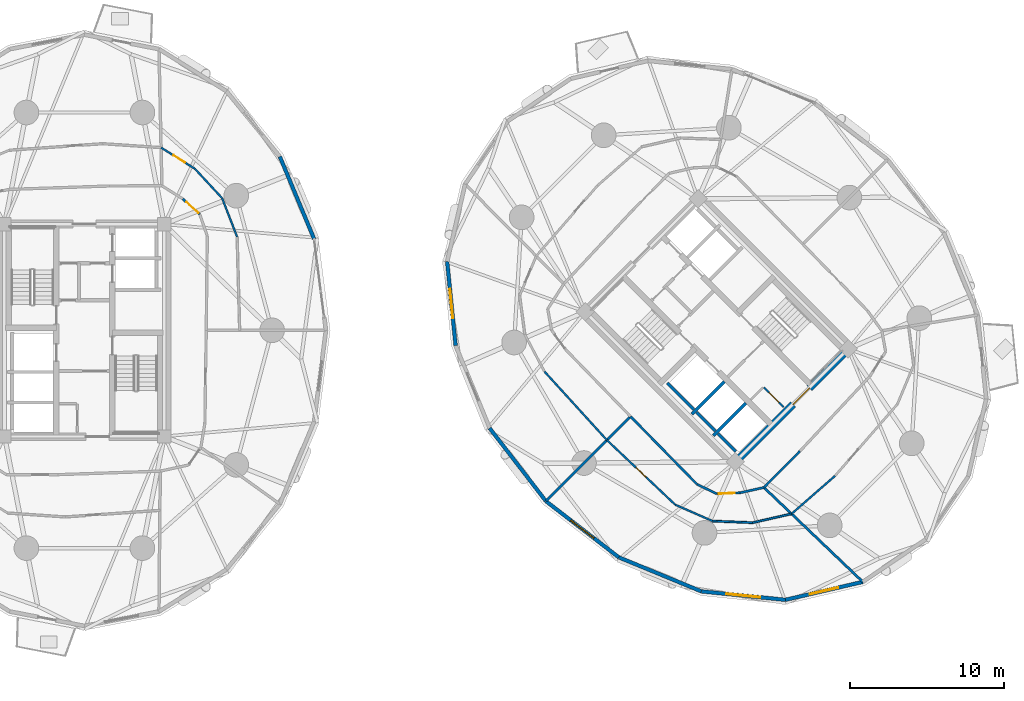
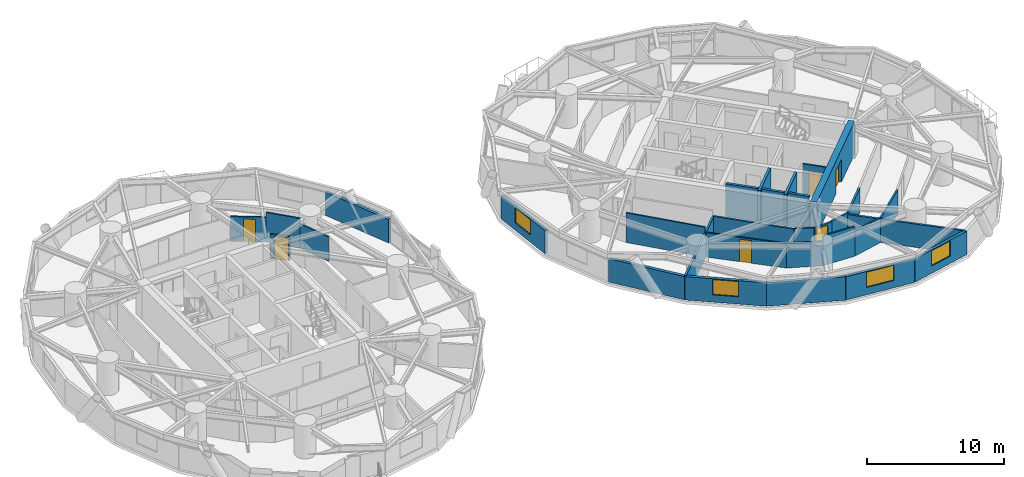
# One storey, part 11 of 17: 31 walls, 6 doors, 4 windows, 10 openings.
"""IFC4 building model written with IfcOpenShell, lengths in metres."""

from ifc_helpers import new_model, si_unit, direction, frame, frame_2d, origin, place, context, subcontext, project, spatial, rectangle, extrude, source, transform, mapped, material, layer, layer_set, type_object, element, fill, save


model = new_model("IFC4")

# Units and contexts
model_context = context("Model", 3, precision=1e-05, world=origin(), true_north=direction((0.0, 1.0)))
body_context = subcontext(model_context, "Body", "Model", "MODEL_VIEW")
ifc_project = project(units=[si_unit("LENGTHUNIT", "METRE"), si_unit("AREAUNIT", "SQUARE_METRE"), si_unit("VOLUMEUNIT", "CUBIC_METRE"), si_unit("PLANEANGLEUNIT", "RADIAN"), si_unit("MASSUNIT", "GRAM", prefix="KILO")], contexts=[model_context])

# Site, building, storey
site_placement = place(None, origin())
site = spatial("IfcSite", under=ifc_project, at=site_placement, CompositionType="ELEMENT")
building_placement = place(site_placement, origin())
building = spatial("IfcBuilding", under=site, at=building_placement, Name="Cununo Teusaquillo Station Towers", CompositionType="ELEMENT")
storey_placement = place(building_placement, frame((0.0, 0.0, 59.830078125)))
storey = spatial("IfcBuildingStorey", under=building, at=storey_placement, Name="L18", CompositionType="ELEMENT", Elevation=59.830078125)

# Walls
ifc_material_1 = material(Name="Concrete C50/60", Category="concrete")
ifc_layer_1 = layer(ifc_material_1, 0.199951171875)
ifc_layer_set_1 = layer_set([ifc_layer_1], Name="Concrete C50/60")
wall_type_1 = type_object("IfcWallType", Name="WL-CORE-200", PredefinedType="SHEAR", material=ifc_layer_set_1)
wall_1_placement = place(storey_placement, frame((55.8876953125, 19.0693359375, 0.0), z_axis=(0.0, 0.0, 1.0), x_axis=(0.707106781187, 0.707106781187, 0.0)))
element("IfcWall", 1, at=wall_1_placement, inside=storey, type_object=wall_type_1, Name="L18 Tower B Firefighting Lift Shaft South Shear Wall", PredefinedType="SHEAR", context=body_context, shape_type="SweptSolid", body=[
    extrude(rectangle(XDim=2.969970703125, YDim=0.199951171875, at=frame_2d((1.48486328125, 0.0))), origin(), (0.0, 0.0, 1.0), 2.909912109375),
])
wall_2_placement = place(storey_placement, frame((56.01513671875, 19.366455078125, 0.0), z_axis=(0.0, 0.0, 1.0), x_axis=(-0.707106781187, 0.707106781187, 0.0)))
element("IfcWall", 2, at=wall_2_placement, inside=storey, type_object=wall_type_1, Name="L18 Tower B Firefighting Lift Shaft Rear Shear Wall", PredefinedType="SHEAR", context=body_context, shape_type="SweptSolid", body=[
    extrude(rectangle(XDim=2.43994140625, YDim=0.199951171875, at=frame_2d((1.219970703125, 0.0))), origin(), (0.0, 0.0, 1.0), 2.909912109375),
])
wall_3_placement = place(storey_placement, frame((57.2841796875, 17.6728515625, 0.0), z_axis=(0.0, 0.0, 1.0), x_axis=(0.707147878904, 0.70706568108, 0.0)))
element("IfcWall", 3, at=wall_3_placement, inside=storey, type_object=wall_type_1, Name="L18 Tower B High-Rise Lift Hoistway Divider Shear Wall", PredefinedType="SHEAR", context=body_context, shape_type="SweptSolid", body=[
    extrude(rectangle(XDim=2.97021484375, YDim=0.199951171875, at=frame_2d((1.485107421875, 0.0))), origin(), (0.0, 0.0, 1.0), 2.909912109375),
])
wall_4_placement = place(storey_placement, frame((57.41162109375, 17.969970703125, 0.0), z_axis=(0.0, 0.0, 1.0), x_axis=(-0.707106781187, 0.707106781187, 0.0)))
element("IfcWall", 4, at=wall_4_placement, inside=storey, type_object=wall_type_1, Name="L18 Tower B High-Rise Lift 2 Shaft Rear Shear Wall", PredefinedType="SHEAR", context=body_context, shape_type="SweptSolid", body=[
    extrude(rectangle(XDim=1.73486328125, YDim=0.199951171875, at=frame_2d((0.867431640625, 0.0))), origin(), (0.0, 0.0, 1.0), 2.909912109375),
])
wall_5_placement = place(storey_placement, frame((58.7373046875, 16.64404296875, 0.0), z_axis=(0.0, 0.0, 1.0), x_axis=(-0.707032117043, 0.707181437447, 0.0)))
element("IfcWall", 5, at=wall_5_placement, inside=storey, type_object=wall_type_1, Name="L18 Tower B High-Rise Lift 1 Shaft Rear Shear Wall", PredefinedType="SHEAR", context=body_context, shape_type="SweptSolid", body=[
    extrude(rectangle(XDim=1.635009765625, YDim=0.199951171875, at=frame_2d((0.8173828125, 0.0))), origin(), (0.0, 0.0, 1.0), 2.909912109375),
])

# Wall, opening, door
ifc_material_2 = material(Name="Concrete C60/75", Category="concrete")
ifc_layer_2 = layer(ifc_material_2, 0.5)
ifc_layer_set_2 = layer_set([ifc_layer_2], Name="Concrete C60/75")
wall_type_2 = type_object("IfcWallType", Name="WL-CORE-500", PredefinedType="SHEAR", material=ifc_layer_set_2)
wall_6_placement = place(storey_placement, frame((58.595947265625, 15.837890625, 0.0), z_axis=(0.0, 0.0, 1.0), x_axis=(0.707106781187, 0.707106781187, 0.0)))
wall_6 = element("IfcWall", 6, at=wall_6_placement, inside=storey, type_object=wall_type_2, Name="L18 Tower B Core Shear Wall S", PredefinedType="SHEAR", context=body_context, shape_type="SweptSolid", body=[
    extrude(rectangle(XDim=10.7001953125, YDim=0.5, at=frame_2d((5.35009765625, 0.0))), origin(), (0.0, 0.0, 1.0), 2.909912109375),
])
shared_shape_1 = source(origin(), body_context, "Body", "SweptSolid", [
    extrude(rectangle(XDim=1.5, YDim=2.02001953125, at=frame_2d((0.75, 1.010009765625))), frame((0.0, 0.260009765625, 0.0), z_axis=(0.0, -1.0, 0.0), x_axis=(1.0, 0.0, 0.0)), (0.0, 0.0, 1.0), 0.52001953125),
])
opening_1_placement = place(wall_6_placement, frame((5.449951171875, 0.0, 0.0)))
opening_1 = element("IfcOpeningElement", 7, at=opening_1_placement, cuts=wall_6, Name="Opening D-LB1", PredefinedType="OPENING", context=body_context, shape_type="MappedRepresentation", body=[
    mapped(shared_shape_1, transform((0.0, 0.0, 0.0), x_axis=(1.0, 0.0, 0.0), y_axis=(0.0, 1.0, 0.0), z_axis=(0.0, 0.0, 1.0), scale=1.0)),
])
ifc_material_3 = material(Name="Galvanised fire-rated hollow steel door assembly", Category="steel")
door_type_1 = type_object("IfcDoorType", Name="DR-LOBBY-1500", OperationType="DOUBLE_DOOR_SINGLE_SWING", PredefinedType="DOOR", material=ifc_material_3)
shared_shape_2 = source(origin(), body_context, "Body", "SweptSolid", [
    extrude(rectangle(XDim=1.5, YDim=2.02001953125, at=frame_2d((0.75, 1.010009765625))), frame((0.0, 0.02490234375, 0.0), z_axis=(0.0, -1.0, 0.0), x_axis=(1.0, 0.0, 0.0)), (0.0, 0.0, 1.0), 0.050048828125),
])
door_1_placement = place(opening_1_placement, origin())
door_1 = element("IfcDoor", 8, at=door_1_placement, inside=storey, type_object=door_type_1, Name="L18 Tower B South Core Lift Lobby Door", OperationType="DOUBLE_DOOR_SINGLE_SWING", OverallHeight=2.02001953125, OverallWidth=1.5, PredefinedType="DOOR", context=body_context, shape_type="MappedRepresentation", body=[
    mapped(shared_shape_2, transform((0.0, 0.0, 0.0), x_axis=(1.0, 0.0, 0.0), y_axis=(0.0, 1.0, 0.0), z_axis=(0.0, 0.0, 1.0), scale=1.0)),
])
fill(opening_1, door_1)

# Wall
ifc_material_4 = material(Name="Precast concrete C40/50", Category="concrete")
ifc_layer_3 = layer(ifc_material_4, 0.239990234375)
ifc_layer_set_3 = layer_set([ifc_layer_3], Name="Precast concrete C40/50")
wall_type_3 = type_object("IfcWallType", Name="WL-EXT-240", PredefinedType="SOLIDWALL", material=ifc_layer_set_3)
wall_7_placement = place(storey_placement, frame((29.171630859375, 35.767822265625, 0.0), z_axis=(0.0, 0.0, 1.0), x_axis=(0.384348836956, -0.923187939442, 0.0)))
element("IfcWall", 9, at=wall_7_placement, inside=storey, type_object=wall_type_3, Name="L18 Tower A Exterior Facade Wall C01", PredefinedType="SOLIDWALL", context=body_context, shape_type="SweptSolid", body=[
    extrude(rectangle(XDim=5.78857421875, YDim=0.239990234375, at=frame_2d((2.894287109375, 0.0))), origin(), (0.0, 0.0, 1.0), 2.072998046875),
])

# Wall, opening, window
wall_8_placement = place(storey_placement, frame((40.572265625, 23.50732421875, 0.0), z_axis=(0.0, 0.0, 1.0), x_axis=(-0.100165739718, 0.994970765694, 0.0)))
wall_8 = element("IfcWall", 10, at=wall_8_placement, inside=storey, type_object=wall_type_3, Name="L18 Tower B Exterior Facade Wall C07", PredefinedType="SOLIDWALL", context=body_context, shape_type="SweptSolid", body=[
    extrude(rectangle(XDim=5.476806640625, YDim=0.239990234375, at=frame_2d((2.73828125, 0.0))), origin(), (0.0, 0.0, 1.0), 2.072998046875),
])
shared_shape_3 = source(origin(), body_context, "Body", "SweptSolid", [
    extrude(rectangle(XDim=1.89990234375, YDim=1.35009765625, at=frame_2d((0.949951171875, 0.675048828125))), frame((0.0, 0.1298828125, 0.0), z_axis=(0.0, -1.0, 0.0), x_axis=(1.0, 0.0, 0.0)), (0.0, 0.0, 1.0), 0.260009765625),
])
opening_2_placement = place(wall_8_placement, frame((1.7880859375, 0.0, 0.64990234375)))
opening_2 = element("IfcOpeningElement", 11, at=opening_2_placement, cuts=wall_8, Name="Opening WN-02", PredefinedType="OPENING", context=body_context, shape_type="MappedRepresentation", body=[
    mapped(shared_shape_3, transform((0.0, 0.0, 0.0), x_axis=(1.0, 0.0, 0.0), y_axis=(0.0, 1.0, 0.0), z_axis=(0.0, 0.0, 1.0), scale=1.0)),
])
ifc_material_5 = material(Name="Operable acoustic tinted low-E double glazing", Category="glass")
window_type_1 = type_object("IfcWindowType", Name="WIN-OPER-1900", PartitioningType="DOUBLE_PANEL_VERTICAL", PredefinedType="WINDOW", material=ifc_material_5)
shared_shape_4 = source(origin(), body_context, "Body", "SweptSolid", [
    extrude(rectangle(XDim=1.89990234375, YDim=1.35009765625, at=frame_2d((0.949951171875, 0.675048828125))), frame((0.0, 0.030029296875, 0.0), z_axis=(0.0, -1.0, 0.0), x_axis=(1.0, 0.0, 0.0)), (0.0, 0.0, 1.0), 0.06005859375),
])
window_1_placement = place(opening_2_placement, origin())
window_1 = element("IfcWindow", 12, at=window_1_placement, inside=storey, type_object=window_type_1, Name="L18 Tower B Facade Window C07", OverallHeight=1.35009765625, OverallWidth=1.89990234375, PartitioningType="DOUBLE_PANEL_VERTICAL", PredefinedType="WINDOW", context=body_context, shape_type="MappedRepresentation", body=[
    mapped(shared_shape_4, transform((0.0, 0.0, 0.0), x_axis=(1.0, 0.0, 0.0), y_axis=(0.0, 1.0, 0.0), z_axis=(0.0, 0.0, 1.0), scale=1.0)),
])
fill(opening_2, window_1)

# Wall
wall_9_placement = place(storey_placement, frame((46.424560546875, 13.424560546875, 0.0), z_axis=(0.0, 0.0, 1.0), x_axis=(-0.610502519057, 0.792014314407, 0.0)))
element("IfcWall", 13, at=wall_9_placement, inside=storey, type_object=wall_type_3, Name="L18 Tower B Exterior Facade Wall C09", PredefinedType="SOLIDWALL", context=body_context, shape_type="SweptSolid", body=[
    extrude(rectangle(XDim=5.973388671875, YDim=0.239990234375, at=frame_2d((2.98681640625, 0.0))), origin(), (0.0, 0.0, 1.0), 2.072998046875),
])

# Wall, opening, window
wall_10_placement = place(storey_placement, frame((51.155517578125, 9.77783203125, 0.0), z_axis=(0.0, 0.0, 1.0), x_axis=(-0.792014314407, 0.610502519057, 0.0)))
wall_10 = element("IfcWall", 14, at=wall_10_placement, inside=storey, type_object=wall_type_3, Name="L18 Tower B Exterior Facade Wall C10", PredefinedType="SOLIDWALL", context=body_context, shape_type="SweptSolid", body=[
    extrude(rectangle(XDim=5.973388671875, YDim=0.239990234375, at=frame_2d((2.98681640625, 0.0))), origin(), (0.0, 0.0, 1.0), 2.072998046875),
])
opening_3_placement = place(wall_10_placement, frame((2.037109375, 0.0, 0.64990234375)))
opening_3 = element("IfcOpeningElement", 15, at=opening_3_placement, cuts=wall_10, Name="Opening WN-02", PredefinedType="OPENING", context=body_context, shape_type="MappedRepresentation", body=[
    mapped(shared_shape_3, transform((0.0, 0.0, 0.0), x_axis=(1.0, 0.0, 0.0), y_axis=(0.0, 1.0, 0.0), z_axis=(0.0, 0.0, 1.0), scale=1.0)),
])
window_2_placement = place(opening_3_placement, origin())
window_2 = element("IfcWindow", 16, at=window_2_placement, inside=storey, type_object=window_type_1, Name="L18 Tower B Facade Window C10", OverallHeight=1.35009765625, OverallWidth=1.89990234375, PartitioningType="DOUBLE_PANEL_VERTICAL", PredefinedType="WINDOW", context=body_context, shape_type="MappedRepresentation", body=[
    mapped(shared_shape_4, transform((0.0, 0.0, 0.0), x_axis=(1.0, 0.0, 0.0), y_axis=(0.0, 1.0, 0.0), z_axis=(0.0, 0.0, 1.0), scale=1.0)),
])
fill(opening_3, window_2)

# Wall
wall_11_placement = place(storey_placement, frame((56.50732421875, 7.572265625, 0.0), z_axis=(0.0, 0.0, 1.0), x_axis=(-0.924563629567, 0.381027682565, 0.0)))
element("IfcWall", 17, at=wall_11_placement, inside=storey, type_object=wall_type_3, Name="L18 Tower B Exterior Facade Wall C11", PredefinedType="SOLIDWALL", context=body_context, shape_type="SweptSolid", body=[
    extrude(rectangle(XDim=5.78857421875, YDim=0.239990234375, at=frame_2d((2.894287109375, 0.0))), origin(), (0.0, 0.0, 1.0), 2.072998046875),
])

# Wall, opening, window
wall_12_placement = place(storey_placement, frame((61.95654296875, 7.023681640625, 0.0), z_axis=(0.0, 0.0, 1.0), x_axis=(-0.994970765694, 0.100165739718, 0.0)))
wall_12 = element("IfcWall", 18, at=wall_12_placement, inside=storey, type_object=wall_type_3, Name="L18 Tower B Exterior Facade Wall C12", PredefinedType="SOLIDWALL", context=body_context, shape_type="SweptSolid", body=[
    extrude(rectangle(XDim=5.476806640625, YDim=0.239990234375, at=frame_2d((2.73828125, 0.0))), origin(), (0.0, 0.0, 1.0), 2.072998046875),
])
shared_shape_5 = source(origin(), body_context, "Body", "SweptSolid", [
    extrude(rectangle(XDim=2.199951171875, YDim=1.35009765625, at=frame_2d((1.10009765625, 0.675048828125))), frame((0.0, 0.1298828125, 0.0), z_axis=(0.0, -1.0, 0.0), x_axis=(1.0, 0.0, 0.0)), (0.0, 0.0, 1.0), 0.260009765625),
])
opening_4_placement = place(wall_12_placement, frame((1.637939453125, 0.0, 0.64990234375)))
opening_4 = element("IfcOpeningElement", 19, at=opening_4_placement, cuts=wall_12, Name="Opening WN-01", PredefinedType="OPENING", context=body_context, shape_type="MappedRepresentation", body=[
    mapped(shared_shape_5, transform((0.0, 0.0, 0.0), x_axis=(1.0, 0.0, 0.0), y_axis=(0.0, 1.0, 0.0), z_axis=(0.0, 0.0, 1.0), scale=1.0)),
])
ifc_material_6 = material(Name="Ceramic-fritted dark low-E double glazing", Category="glass")
window_type_2 = type_object("IfcWindowType", Name="WIN-FRIT-2200", PartitioningType="DOUBLE_PANEL_VERTICAL", PredefinedType="WINDOW", material=ifc_material_6)
shared_shape_6 = source(origin(), body_context, "Body", "SweptSolid", [
    extrude(rectangle(XDim=2.199951171875, YDim=1.35009765625, at=frame_2d((1.10009765625, 0.675048828125))), frame((0.0, 0.030029296875, 0.0), z_axis=(0.0, -1.0, 0.0), x_axis=(1.0, 0.0, 0.0)), (0.0, 0.0, 1.0), 0.06005859375),
])
window_3_placement = place(opening_4_placement, origin())
window_3 = element("IfcWindow", 20, at=window_3_placement, inside=storey, type_object=window_type_2, Name="L18 Tower B Facade Window C12", OverallHeight=1.35009765625, OverallWidth=2.199951171875, PartitioningType="DOUBLE_PANEL_VERTICAL", PredefinedType="WINDOW", context=body_context, shape_type="MappedRepresentation", body=[
    mapped(shared_shape_6, transform((0.0, 0.0, 0.0), x_axis=(1.0, 0.0, 0.0), y_axis=(0.0, 1.0, 0.0), z_axis=(0.0, 0.0, 1.0), scale=1.0)),
])
fill(opening_4, window_3)

wall_13_placement = place(storey_placement, frame((66.969482421875, 8.185791015625, 0.0), z_axis=(0.0, 0.0, 1.0), x_axis=(-0.974166016949, -0.225833060959, 0.0)))
wall_13 = element("IfcWall", 21, at=wall_13_placement, inside=storey, type_object=wall_type_3, Name="L18 Tower B Exterior Facade Wall C13", PredefinedType="SOLIDWALL", context=body_context, shape_type="SweptSolid", body=[
    extrude(rectangle(XDim=5.14599609375, YDim=0.239990234375, at=frame_2d((2.572998046875, 0.0))), origin(), (0.0, 0.0, 1.0), 2.072998046875),
])
opening_5_placement = place(wall_13_placement, frame((1.623046875, 0.0, 0.64990234375)))
opening_5 = element("IfcOpeningElement", 22, at=opening_5_placement, cuts=wall_13, Name="Opening WN-02", PredefinedType="OPENING", context=body_context, shape_type="MappedRepresentation", body=[
    mapped(shared_shape_3, transform((0.0, 0.0, 0.0), x_axis=(1.0, 0.0, 0.0), y_axis=(0.0, 1.0, 0.0), z_axis=(0.0, 0.0, 1.0), scale=1.0)),
])
window_4_placement = place(opening_5_placement, origin())
window_4 = element("IfcWindow", 23, at=window_4_placement, inside=storey, type_object=window_type_1, Name="L18 Tower B Facade Window C13", OverallHeight=1.35009765625, OverallWidth=1.89990234375, PartitioningType="DOUBLE_PANEL_VERTICAL", PredefinedType="WINDOW", context=body_context, shape_type="MappedRepresentation", body=[
    mapped(shared_shape_4, transform((0.0, 0.0, 0.0), x_axis=(1.0, 0.0, 0.0), y_axis=(0.0, 1.0, 0.0), z_axis=(0.0, 0.0, 1.0), scale=1.0)),
])
fill(opening_5, window_4)

# Walls
ifc_material_7 = material(Name="Fire-rated gypsum plasterboard partition assembly", Category="gypsum")
ifc_layer_4 = layer(ifc_material_7, 0.125)
ifc_layer_set_4 = layer_set([ifc_layer_4], Name="Fire-rated gypsum plasterboard partition assembly")
wall_type_4 = type_object("IfcWallType", Name="WL-PART-125", PredefinedType="PARTITIONING", material=ifc_layer_set_4)
wall_14_placement = place(storey_placement, frame((26.4033203125, 30.55908203125, 0.0), z_axis=(0.0, 0.0, 1.0), x_axis=(-0.361637165216, 0.932318915787, 0.0)))
element("IfcWall", 24, at=wall_14_placement, inside=storey, type_object=wall_type_4, Name="L18 Tower A Hotel Sky Conservatory Lounge Concentric Partition Wall C01", PredefinedType="PARTITIONING", context=body_context, shape_type="SweptSolid", body=[
    extrude(rectangle(XDim=2.6943359375, YDim=0.125, at=frame_2d((1.34716796875, 0.0))), origin(), (0.0, 0.0, 1.0), 2.158935546875),
])
wall_15_placement = place(storey_placement, frame((25.428955078125, 33.071044921875, 0.0), z_axis=(0.0, 0.0, 1.0), x_axis=(-0.679623863187, 0.733560770889, 0.0)))
element("IfcWall", 25, at=wall_15_placement, inside=storey, type_object=wall_type_4, Name="L18 Tower A Hotel Sky Conservatory Lounge Concentric Partition Wall C02", PredefinedType="PARTITIONING", context=body_context, shape_type="SweptSolid", body=[
    extrude(rectangle(XDim=2.59375, YDim=0.125, at=frame_2d((1.296875, 0.0))), origin(), (0.0, 0.0, 1.0), 2.635009765625),
])

# Wall, opening, door
wall_16_placement = place(storey_placement, frame((23.666259765625, 34.9736328125, 0.0), z_axis=(0.0, 0.0, 1.0), x_axis=(-0.847319394731, 0.531083650014, 0.0)))
wall_16 = element("IfcWall", 26, at=wall_16_placement, inside=storey, type_object=wall_type_4, Name="L18 Tower A Hotel Sky Conservatory Lounge Concentric Partition Wall C03", PredefinedType="PARTITIONING", context=body_context, shape_type="SweptSolid", body=[
    extrude(rectangle(XDim=2.588623046875, YDim=0.125, at=frame_2d((1.29443359375, 0.0))), origin(), (0.0, 0.0, 1.0), 2.204833984375),
])
shared_shape_7 = source(origin(), body_context, "Body", "SweptSolid", [
    extrude(rectangle(XDim=0.89990234375, YDim=2.0048828125, at=frame_2d((0.449951171875, 1.00244140625))), frame((0.0, 0.072509765625, 0.0), z_axis=(0.0, -1.0, 0.0), x_axis=(1.0, 0.0, 0.0)), (0.0, 0.0, 1.0), 0.14501953125),
])
opening_6_placement = place(wall_16_placement, frame((0.75390625, 0.0, 0.0)))
opening_6 = element("IfcOpeningElement", 27, at=opening_6_placement, cuts=wall_16, Name="Opening D-IN1", PredefinedType="OPENING", context=body_context, shape_type="MappedRepresentation", body=[
    mapped(shared_shape_7, transform((0.0, 0.0, 0.0), x_axis=(1.0, 0.0, 0.0), y_axis=(0.0, 1.0, 0.0), z_axis=(0.0, 0.0, 1.0), scale=1.0)),
])
ifc_material_8 = material(Name="Acoustic solid-core hardwood leaf assembly", Category="wood")
door_type_2 = type_object("IfcDoorType", Name="DR-INT-900", OperationType="NOTDEFINED", PredefinedType="DOOR", material=ifc_material_8)
shared_shape_8 = source(origin(), body_context, "Body", "SweptSolid", [
    extrude(rectangle(XDim=0.89990234375, YDim=2.0048828125, at=frame_2d((0.449951171875, 1.00244140625))), frame((0.0, 0.02490234375, 0.0), z_axis=(0.0, -1.0, 0.0), x_axis=(1.0, 0.0, 0.0)), (0.0, 0.0, 1.0), 0.050048828125),
])
door_2_placement = place(opening_6_placement, origin())
door_2 = element("IfcDoor", 28, at=door_2_placement, inside=storey, type_object=door_type_2, Name="L18 Tower A Hotel Sky Conservatory Lounge Connecting Door", OperationType="SINGLE_SWING_LEFT", OverallHeight=2.0048828125, OverallWidth=0.89990234375, PredefinedType="DOOR", context=body_context, shape_type="MappedRepresentation", body=[
    mapped(shared_shape_8, transform((0.0, 0.0, 0.0), x_axis=(1.0, 0.0, 0.0), y_axis=(0.0, 1.0, 0.0), z_axis=(0.0, 0.0, 1.0), scale=1.0)),
])
fill(opening_6, door_2)

wall_17_placement = place(storey_placement, frame((61.834716796875, 19.529052734375, 0.0), z_axis=(0.0, 0.0, 1.0), x_axis=(-0.707174592913, 0.707038962956, 0.0)))
wall_17 = element("IfcWall", 29, at=wall_17_placement, inside=storey, type_object=wall_type_4, Name="L18 Tower B South-West Compact Store East Wall", PredefinedType="PARTITIONING", context=body_context, shape_type="SweptSolid", body=[
    extrude(rectangle(XDim=1.800048828125, YDim=0.125, at=frame_2d((0.89990234375, 0.0))), origin(), (0.0, 0.0, 1.0), 2.635009765625),
])
opening_7_placement = place(wall_17_placement, frame((0.419921875, 0.0, 0.0)))
opening_7 = element("IfcOpeningElement", 30, at=opening_7_placement, cuts=wall_17, Name="Opening D-SR1", PredefinedType="OPENING", context=body_context, shape_type="MappedRepresentation", body=[
    mapped(shared_shape_7, transform((0.0, 0.0, 0.0), x_axis=(1.0, 0.0, 0.0), y_axis=(0.0, 1.0, 0.0), z_axis=(0.0, 0.0, 1.0), scale=1.0)),
])
ifc_material_9 = material(Name="Galvanised fire-rated hollow steel door assembly", Category="steel")
door_type_3 = type_object("IfcDoorType", Name="DR-STORE-900", OperationType="NOTDEFINED", PredefinedType="DOOR", material=ifc_material_9)
door_3_placement = place(opening_7_placement, origin())
door_3 = element("IfcDoor", 31, at=door_3_placement, inside=storey, type_object=door_type_3, Name="L18 Tower B Core Electrical & Comms Store Door", OperationType="SINGLE_SWING_RIGHT", OverallHeight=2.0048828125, OverallWidth=0.89990234375, PredefinedType="DOOR", context=body_context, shape_type="MappedRepresentation", body=[
    mapped(shared_shape_8, transform((0.0, 0.0, 0.0), x_axis=(1.0, 0.0, 0.0), y_axis=(0.0, 1.0, 0.0), z_axis=(0.0, 0.0, 1.0), scale=1.0)),
])
fill(opening_7, door_3)

# Wall
wall_18_placement = place(storey_placement, frame((46.330810546875, 21.828369140625, 0.0), z_axis=(0.0, 0.0, 1.0), x_axis=(0.673296785471, -0.739372327501, 0.0)))
element("IfcWall", 32, at=wall_18_placement, inside=storey, type_object=wall_type_4, Name="L18 Tower B Hotel Concierge & Library Club Concentric Partition Wall C09", PredefinedType="PARTITIONING", context=body_context, shape_type="SweptSolid", body=[
    extrude(rectangle(XDim=6.01513671875, YDim=0.125, at=frame_2d((3.007568359375, 0.0))), origin(), (0.0, 0.0, 1.0), 2.635009765625),
])

# Wall, opening, door
wall_19_placement = place(storey_placement, frame((50.380859375, 17.380859375, 0.0), z_axis=(0.0, 0.0, 1.0), x_axis=(0.726536500488, -0.687127872712, 0.0)))
wall_19 = element("IfcWall", 33, at=wall_19_placement, inside=storey, type_object=wall_type_4, Name="L18 Tower B Hotel Executive Conference Salon Concentric Partition Wall C10", PredefinedType="PARTITIONING", context=body_context, shape_type="SweptSolid", body=[
    extrude(rectangle(XDim=6.095947265625, YDim=0.125, at=frame_2d((3.0478515625, 0.0))), origin(), (0.0, 0.0, 1.0), 2.158935546875),
])
opening_8_placement = place(wall_19_placement, frame((2.597900390625, 0.0, 0.0)))
opening_8 = element("IfcOpeningElement", 34, at=opening_8_placement, cuts=wall_19, Name="Opening D-IN1", PredefinedType="OPENING", context=body_context, shape_type="MappedRepresentation", body=[
    mapped(shared_shape_7, transform((0.0, 0.0, 0.0), x_axis=(1.0, 0.0, 0.0), y_axis=(0.0, 1.0, 0.0), z_axis=(0.0, 0.0, 1.0), scale=1.0)),
])
door_4_placement = place(opening_8_placement, origin())
door_4 = element("IfcDoor", 35, at=door_4_placement, inside=storey, type_object=door_type_2, Name="L18 Tower B Hotel Executive Conference Salon Connecting Door", OperationType="SINGLE_SWING_LEFT", OverallHeight=2.0048828125, OverallWidth=0.89990234375, PredefinedType="DOOR", context=body_context, shape_type="MappedRepresentation", body=[
    mapped(shared_shape_8, transform((0.0, 0.0, 0.0), x_axis=(1.0, 0.0, 0.0), y_axis=(0.0, 1.0, 0.0), z_axis=(0.0, 0.0, 1.0), scale=1.0)),
])
fill(opening_8, door_4)

# Walls
wall_20_placement = place(storey_placement, frame((54.809814453125, 13.192138671875, 0.0), z_axis=(0.0, 0.0, 1.0), x_axis=(0.91595798127, -0.40127419123, 0.0)))
element("IfcWall", 36, at=wall_20_placement, inside=storey, type_object=wall_type_4, Name="L18 Tower B Hotel Executive Conference Salon Concentric Partition Wall C11", PredefinedType="PARTITIONING", context=body_context, shape_type="SweptSolid", body=[
    extrude(rectangle(XDim=2.6435546875, YDim=0.125, at=frame_2d((1.32177734375, 0.0))), origin(), (0.0, 0.0, 1.0), 2.158935546875),
])
wall_21_placement = place(storey_placement, frame((57.231201171875, 12.13134765625, 0.0), z_axis=(0.0, 0.0, 1.0), x_axis=(0.999171636131, -0.040694490436, 0.0)))
element("IfcWall", 37, at=wall_21_placement, inside=storey, type_object=wall_type_4, Name="L18 Tower B Hotel Executive Conference Salon Concentric Partition Wall C12", PredefinedType="PARTITIONING", context=body_context, shape_type="SweptSolid", body=[
    extrude(rectangle(XDim=2.603759765625, YDim=0.125, at=frame_2d((1.3017578125, 0.0))), origin(), (0.0, 0.0, 1.0), 2.635009765625),
])
wall_22_placement = place(storey_placement, frame((59.832763671875, 12.025390625, 0.0), z_axis=(0.0, 0.0, 1.0), x_axis=(0.975011214108, 0.222155648959, 0.0)))
element("IfcWall", 38, at=wall_22_placement, inside=storey, type_object=wall_type_4, Name="L18 Tower B Hotel Executive Conference Salon Concentric Partition Wall C13", PredefinedType="PARTITIONING", context=body_context, shape_type="SweptSolid", body=[
    extrude(rectangle(XDim=2.5859375, YDim=0.125, at=frame_2d((1.29296875, 0.0))), origin(), (0.0, 0.0, 1.0), 2.204833984375),
])
wall_23_placement = place(storey_placement, frame((62.35400390625, 12.599853515625, 0.0), z_axis=(0.0, 0.0, 1.0), x_axis=(0.75329750535, 0.657679913357, 0.0)))
element("IfcWall", 39, at=wall_23_placement, inside=storey, type_object=wall_type_4, Name="L18 Tower B Hotel Housekeeping & Linen Pantry Concentric Partition Wall C14", PredefinedType="PARTITIONING", context=body_context, shape_type="SweptSolid", body=[
    extrude(rectangle(XDim=3.75341796875, YDim=0.125, at=frame_2d((1.876708984375, 0.0))), origin(), (0.0, 0.0, 1.0), 2.158935546875),
])

# Wall, opening, door
ifc_material_10 = material(Name="Fire-rated gypsum plasterboard partition assembly", Category="gypsum")
ifc_layer_5 = layer(ifc_material_10, 0.14990234375)
ifc_layer_set_5 = layer_set([ifc_layer_5], Name="Fire-rated gypsum plasterboard partition assembly")
wall_type_5 = type_object("IfcWallType", Name="WL-PART-150", PredefinedType="PARTITIONING", material=ifc_layer_set_5)
wall_24_placement = place(storey_placement, frame((23.979736328125, 32.02685546875, 0.0), z_axis=(0.0, 0.0, 1.0), x_axis=(-0.742353224332, 0.670008724065, 0.0)))
wall_24 = element("IfcWall", 40, at=wall_24_placement, inside=storey, type_object=wall_type_5, Name="L18 Tower A Corridor Ring Wall C02", PredefinedType="PARTITIONING", context=body_context, shape_type="SweptSolid", body=[
    extrude(rectangle(XDim=1.48486328125, YDim=0.14990234375, at=frame_2d((0.742431640625, 0.0))), origin(), (0.0, 0.0, 1.0), 2.158935546875),
])
shared_shape_9 = source(origin(), body_context, "Body", "SweptSolid", [
    extrude(rectangle(XDim=1.050048828125, YDim=2.014892578125, at=frame_2d((0.52490234375, 1.00732421875))), frame((0.0, 0.0849609375, 0.0), z_axis=(0.0, -1.0, 0.0), x_axis=(1.0, 0.0, 0.0)), (0.0, 0.0, 1.0), 0.169921875),
])
opening_9_placement = place(wall_24_placement, frame((0.1201171875, 0.0, 0.0)))
opening_9 = element("IfcOpeningElement", 41, at=opening_9_placement, cuts=wall_24, Name="Opening D-SU1", PredefinedType="OPENING", context=body_context, shape_type="MappedRepresentation", body=[
    mapped(shared_shape_9, transform((0.0, 0.0, 0.0), x_axis=(1.0, 0.0, 0.0), y_axis=(0.0, 1.0, 0.0), z_axis=(0.0, 0.0, 1.0), scale=1.0)),
])
ifc_material_11 = material(Name="Acoustic solid-core hardwood leaf assembly", Category="wood")
door_type_4 = type_object("IfcDoorType", Name="DR-SUITE-1050", OperationType="NOTDEFINED", PredefinedType="DOOR", material=ifc_material_11)
shared_shape_10 = source(origin(), body_context, "Body", "SweptSolid", [
    extrude(rectangle(XDim=1.050048828125, YDim=2.014892578125, at=frame_2d((0.52490234375, 1.00732421875))), frame((0.0, 0.02490234375, 0.0), z_axis=(0.0, -1.0, 0.0), x_axis=(1.0, 0.0, 0.0)), (0.0, 0.0, 1.0), 0.050048828125),
])
door_5_placement = place(opening_9_placement, origin())
door_5 = element("IfcDoor", 42, at=door_5_placement, inside=storey, type_object=door_type_4, Name="L18 Tower A Hotel Sky Conservatory Lounge Entrance Door", OperationType="SINGLE_SWING_RIGHT", OverallHeight=2.014892578125, OverallWidth=1.050048828125, PredefinedType="DOOR", context=body_context, shape_type="MappedRepresentation", body=[
    mapped(shared_shape_10, transform((0.0, 0.0, 0.0), x_axis=(1.0, 0.0, 0.0), y_axis=(0.0, 1.0, 0.0), z_axis=(0.0, 0.0, 1.0), scale=1.0)),
])
fill(opening_9, door_5)

# Walls
wall_25_placement = place(storey_placement, frame((51.913818359375, 18.913818359375, 0.0), z_axis=(0.0, 0.0, 1.0), x_axis=(0.699999313799, -0.714143515465, 0.0)))
element("IfcWall", 43, at=wall_25_placement, inside=storey, type_object=wall_type_5, Name="L18 Tower B Corridor Ring Wall C10", PredefinedType="PARTITIONING", context=body_context, shape_type="SweptSolid", body=[
    extrude(rectangle(XDim=6.162109375, YDim=0.14990234375, at=frame_2d((3.0810546875, 0.0))), origin(), (0.0, 0.0, 1.0), 2.158935546875),
])
wall_26_placement = place(storey_placement, frame((56.227294921875, 14.51318359375, 0.0), z_axis=(0.0, 0.0, 1.0), x_axis=(0.901477579283, -0.432825801044, 0.0)))
element("IfcWall", 44, at=wall_26_placement, inside=storey, type_object=wall_type_5, Name="L18 Tower B Corridor Ring Wall C11", PredefinedType="PARTITIONING", context=body_context, shape_type="SweptSolid", body=[
    extrude(rectangle(XDim=1.42431640625, YDim=0.14990234375, at=frame_2d((0.712158203125, 0.0))), origin(), (0.0, 0.0, 1.0), 2.204833984375),
])

# Wall, opening, door
wall_27_placement = place(storey_placement, frame((57.51123046875, 13.896728515625, 0.0), z_axis=(0.0, 0.0, 1.0), x_axis=(0.999024538494, 0.044158481476, 0.0)))
wall_27 = element("IfcWall", 45, at=wall_27_placement, inside=storey, type_object=wall_type_5, Name="L18 Tower B Corridor Ring Wall C12", PredefinedType="PARTITIONING", context=body_context, shape_type="SweptSolid", body=[
    extrude(rectangle(XDim=1.498291015625, YDim=0.14990234375, at=frame_2d((0.7490234375, 0.0))), origin(), (0.0, 0.0, 1.0), 2.158935546875),
])
opening_10_placement = place(wall_27_placement, frame((0.1201171875, 0.0, 0.0)))
opening_10 = element("IfcOpeningElement", 46, at=opening_10_placement, cuts=wall_27, Name="Opening D-SU1", PredefinedType="OPENING", context=body_context, shape_type="MappedRepresentation", body=[
    mapped(shared_shape_9, transform((0.0, 0.0, 0.0), x_axis=(1.0, 0.0, 0.0), y_axis=(0.0, 1.0, 0.0), z_axis=(0.0, 0.0, 1.0), scale=1.0)),
])
door_6_placement = place(opening_10_placement, origin())
door_6 = element("IfcDoor", 47, at=door_6_placement, inside=storey, type_object=door_type_4, Name="L18 Tower B Hotel Executive Conference Salon Entrance Door", OperationType="SINGLE_SWING_RIGHT", OverallHeight=2.014892578125, OverallWidth=1.050048828125, PredefinedType="DOOR", context=body_context, shape_type="MappedRepresentation", body=[
    mapped(shared_shape_10, transform((0.0, 0.0, 0.0), x_axis=(1.0, 0.0, 0.0), y_axis=(0.0, 1.0, 0.0), z_axis=(0.0, 0.0, 1.0), scale=1.0)),
])
fill(opening_10, door_6)

# Walls
wall_28_placement = place(storey_placement, frame((59.008056640625, 13.962890625, 0.0), z_axis=(0.0, 0.0, 1.0), x_axis=(0.976020856791, 0.21767702476, 0.0)))
element("IfcWall", 48, at=wall_28_placement, inside=storey, type_object=wall_type_5, Name="L18 Tower B Corridor Ring Wall C13", PredefinedType="PARTITIONING", context=body_context, shape_type="SweptSolid", body=[
    extrude(rectangle(XDim=1.592529296875, YDim=0.14990234375, at=frame_2d((0.79638671875, 0.0))), origin(), (0.0, 0.0, 1.0), 2.204833984375),
])
wall_29_placement = place(storey_placement, frame((60.5625, 14.3095703125, 0.0), z_axis=(0.0, 0.0, 1.0), x_axis=(0.704566236161, 0.709638230975, 0.0)))
element("IfcWall", 49, at=wall_29_placement, inside=storey, type_object=wall_type_5, Name="L18 Tower B Corridor Ring Wall C14", PredefinedType="PARTITIONING", context=body_context, shape_type="SweptSolid", body=[
    extrude(rectangle(XDim=3.3212890625, YDim=0.14990234375, at=frame_2d((1.66064453125, 0.0))), origin(), (0.0, 0.0, 1.0), 2.158935546875),
])
ifc_material_12 = material(Name="Fire-rated gypsum plasterboard partition assembly", Category="gypsum")
ifc_layer_6 = layer(ifc_material_12, 0.159912109375)
ifc_layer_set_6 = layer_set([ifc_layer_6], Name="Fire-rated gypsum plasterboard partition assembly")
wall_type_6 = type_object("IfcWallType", Name="WL-PART-160", PredefinedType="PARTITIONING", material=ifc_layer_set_6)
wall_30_placement = place(storey_placement, frame((51.913818359375, 18.913818359375, 0.0), z_axis=(0.0, 0.0, 1.0), x_axis=(-0.707106781187, -0.707106781187, 0.0)))
element("IfcWall", 50, at=wall_30_placement, inside=storey, type_object=wall_type_6, Name="L18 Tower B Radial Suite Partition R04", PredefinedType="PARTITIONING", context=body_context, shape_type="SweptSolid", body=[
    extrude(rectangle(XDim=7.742919921875, YDim=0.159912109375, at=frame_2d((3.87158203125, 0.0))), origin(), (0.0, 0.0, 1.0), 2.072998046875),
])
wall_31_placement = place(storey_placement, frame((60.5625, 14.3095703125, 0.0), z_axis=(0.0, 0.0, 1.0), x_axis=(0.723408813637, -0.690419936236, 0.0)))
element("IfcWall", 51, at=wall_31_placement, inside=storey, type_object=wall_type_6, Name="L18 Tower B Radial Suite Partition R05", PredefinedType="PARTITIONING", context=body_context, shape_type="SweptSolid", body=[
    extrude(rectangle(XDim=8.84375, YDim=0.159912109375, at=frame_2d((4.421875, 0.0))), origin(), (0.0, 0.0, 1.0), 2.072998046875),
])

save(model, "model.ifc")
